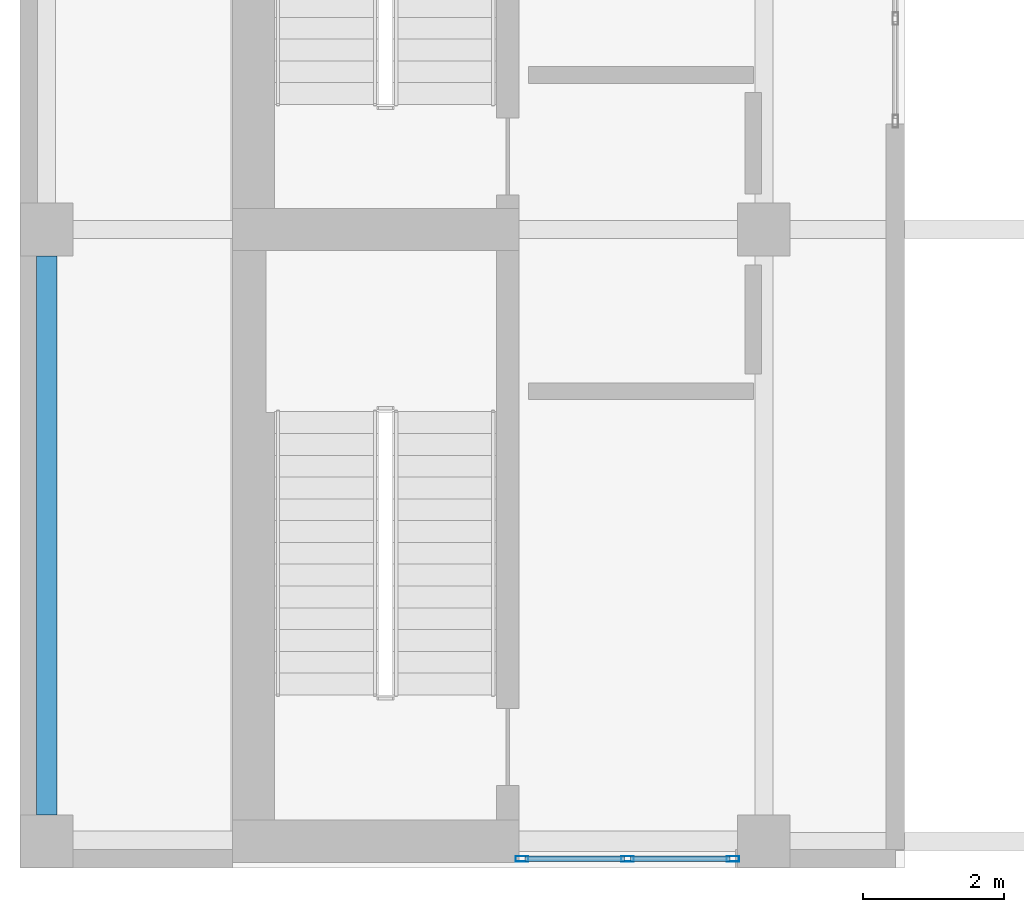
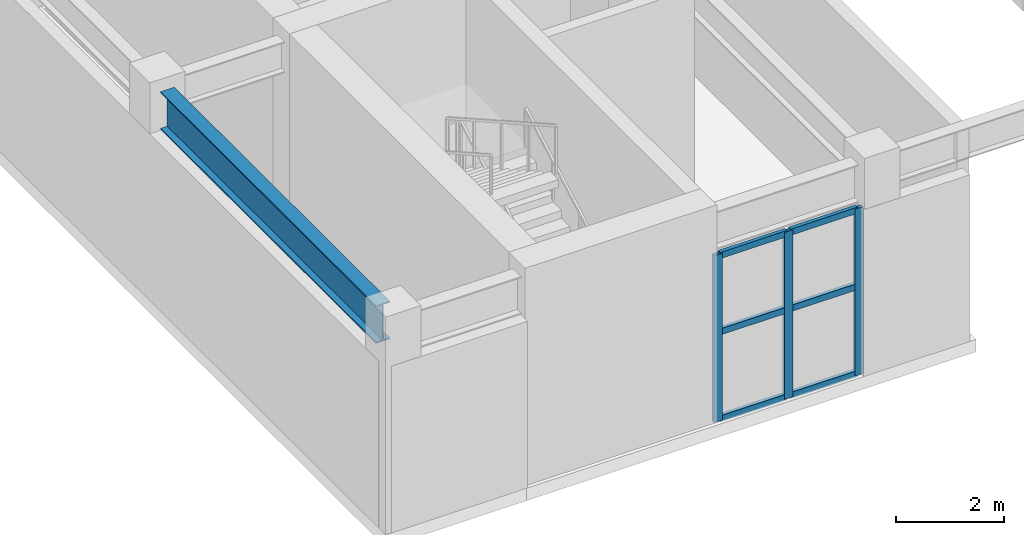
# One storey, part 2 of 11: 9 members, 1 beam, 1 element without a shape of its own.
"""IFC4 building model written with IfcOpenShell, lengths in metres."""

from ifc_helpers import new_model, si_unit, direction, frame, origin, origin_2d, place, context, subcontext, project, spatial, hollow_rectangle, i_section, extrude, material, layer, layer_set, material_profile, profile_set, type_object, element, aggregate, save


model = new_model("IFC4")

# Units and contexts
model_context = context("Model", 3, precision=1e-05, world=origin(), true_north=direction((0.0, 1.0)))
body_context = subcontext(model_context, "Body", "Model", "MODEL_VIEW")
ifc_project = project(units=[si_unit("LENGTHUNIT", "METRE"), si_unit("AREAUNIT", "SQUARE_METRE"), si_unit("VOLUMEUNIT", "CUBIC_METRE"), si_unit("PLANEANGLEUNIT", "RADIAN"), si_unit("MASSUNIT", "GRAM", prefix="KILO")], contexts=[model_context])

# Site, building, storey
site_placement = place(None, origin())
site = spatial("IfcSite", under=ifc_project, at=site_placement, CompositionType="ELEMENT")
building_placement = place(site_placement, origin())
building = spatial("IfcBuilding", under=site, at=building_placement, Name="Solanera Arch Residences", CompositionType="ELEMENT")
storey_placement = place(building_placement, frame((0.0, 0.0, 282.97998046875)))
storey = spatial("IfcBuildingStorey", under=building, at=storey_placement, Name="L81", CompositionType="ELEMENT", Elevation=282.97998046875)

# Curtain wall, members
ifc_material_1 = material(Name="Anodised Aluminium Alloy 6063-T6", Category="aluminium")
ifc_layer = layer(ifc_material_1, 0.199951171875)
ifc_layer_set = layer_set([ifc_layer], Name="Anodised Aluminium Alloy 6063-T6")
curtain_wall_type = type_object("IfcCurtainWallType", Name="CW-5 Observatory High-Wind Curtain Wall", PredefinedType="USERDEFINED", material=ifc_layer_set)
curtain_wall_placement = place(storey_placement, origin())
curtain_wall = element("IfcCurtainWall", 1, at=curtain_wall_placement, inside=storey, type_object=curtain_wall_type, Name="L81 Crown South Observatory Curtain Wall", ObjectType="CURTAIN_WALL", PredefinedType="USERDEFINED")
ifc_material_2 = material(Name="Anodised Aluminium Alloy 6063-T6", Category="aluminium")
ifc_material_profile_1 = material_profile(ifc_material_2, hollow_rectangle(XDim=0.080078125, YDim=0.179931640625, WallThickness=0.00390625, at=origin_2d()))
ifc_profile_set_1 = profile_set([ifc_material_profile_1], Name="Anodised Aluminium Alloy 6063-T6")
member_type_1 = type_object("IfcMemberType", Name="Curtain Wall Mullion ALU-MUL-80X180", PredefinedType="MULLION", material=ifc_profile_set_1)
member_1_placement = place(storey_placement, frame((20.360107421875, 21.75, 0.0), z_axis=(0.0, 0.0, 1.0), x_axis=(0.0, -1.0, 0.0)))
member_1 = element("IfcMember", 2, at=member_1_placement, type_object=member_type_1, Name="CW-5 mullion 1", PredefinedType="MULLION", context=body_context, shape_type="SweptSolid", body=[
    extrude(hollow_rectangle(XDim=0.080078125, YDim=0.179931640625, WallThickness=0.00390625, at=origin_2d()), origin(), (0.0, 0.0, 1.0), 3.760009765625),
])
member_2_placement = place(storey_placement, frame((18.860107421875, 21.75, 0.0), z_axis=(0.0, 0.0, 1.0), x_axis=(0.0, -1.0, 0.0)))
member_2 = element("IfcMember", 3, at=member_2_placement, type_object=member_type_1, Name="CW-5 mullion 2", PredefinedType="MULLION", context=body_context, shape_type="SweptSolid", body=[
    extrude(hollow_rectangle(XDim=0.080078125, YDim=0.179931640625, WallThickness=0.00390625, at=origin_2d()), origin(), (0.0, 0.0, 1.0), 3.760009765625),
])
member_3_placement = place(storey_placement, frame((17.360107421875, 21.75, 0.0), z_axis=(0.0, 0.0, 1.0), x_axis=(0.0, -1.0, 0.0)))
member_3 = element("IfcMember", 4, at=member_3_placement, type_object=member_type_1, Name="CW-5 mullion 3", PredefinedType="MULLION", context=body_context, shape_type="SweptSolid", body=[
    extrude(hollow_rectangle(XDim=0.080078125, YDim=0.179931640625, WallThickness=0.00390625, at=origin_2d()), origin(), (0.0, 0.0, 1.0), 3.760009765625),
])
ifc_material_3 = material(Name="Anodised Aluminium Alloy 6063-T6", Category="aluminium")
ifc_material_profile_2 = material_profile(ifc_material_3, hollow_rectangle(XDim=0.080078125, YDim=0.139892578125, WallThickness=0.00390625, at=origin_2d()))
ifc_profile_set_2 = profile_set([ifc_material_profile_2], Name="Anodised Aluminium Alloy 6063-T6")
member_type_2 = type_object("IfcMemberType", Name="Curtain Wall Transom ALU-TRN-80X140", PredefinedType="USERDEFINED", material=ifc_profile_set_2)
member_4_placement = place(storey_placement, frame((20.320068359375, 21.75, 0.0400390625), z_axis=(-1.0, 0.0, 0.0), x_axis=(0.0, -1.0, 0.0)))
member_4 = element("IfcMember", 5, at=member_4_placement, type_object=member_type_2, Name="CW-5 transom 1.1", ObjectType="TRANSOM", PredefinedType="USERDEFINED", context=body_context, shape_type="SweptSolid", body=[
    extrude(hollow_rectangle(XDim=0.080078125, YDim=0.139892578125, WallThickness=0.00390625, at=origin_2d()), origin(), (0.0, 0.0, 1.0), 1.420166015625),
])
member_5_placement = place(storey_placement, frame((20.320068359375, 21.75, 2.0), z_axis=(-1.0, 0.0, 0.0), x_axis=(0.0, -1.0, 0.0)))
member_5 = element("IfcMember", 6, at=member_5_placement, type_object=member_type_2, Name="CW-5 transom 1.2", ObjectType="TRANSOM", PredefinedType="USERDEFINED", context=body_context, shape_type="SweptSolid", body=[
    extrude(hollow_rectangle(XDim=0.080078125, YDim=0.139892578125, WallThickness=0.00390625, at=origin_2d()), origin(), (0.0, 0.0, 1.0), 1.420166015625),
])
member_6_placement = place(storey_placement, frame((20.320068359375, 21.75, 3.719970703125), z_axis=(-1.0, 0.0, 0.0), x_axis=(0.0, -1.0, 0.0)))
member_6 = element("IfcMember", 7, at=member_6_placement, type_object=member_type_2, Name="CW-5 transom 1.3", ObjectType="TRANSOM", PredefinedType="USERDEFINED", context=body_context, shape_type="SweptSolid", body=[
    extrude(hollow_rectangle(XDim=0.080078125, YDim=0.139892578125, WallThickness=0.00390625, at=origin_2d()), origin(), (0.0, 0.0, 1.0), 1.420166015625),
])
member_7_placement = place(storey_placement, frame((18.820068359375, 21.75, 0.0400390625), z_axis=(-1.0, 0.0, 0.0), x_axis=(0.0, -1.0, 0.0)))
member_7 = element("IfcMember", 8, at=member_7_placement, type_object=member_type_2, Name="CW-5 transom 2.1", ObjectType="TRANSOM", PredefinedType="USERDEFINED", context=body_context, shape_type="SweptSolid", body=[
    extrude(hollow_rectangle(XDim=0.080078125, YDim=0.139892578125, WallThickness=0.00390625, at=origin_2d()), origin(), (0.0, 0.0, 1.0), 1.420166015625),
])
member_8_placement = place(storey_placement, frame((18.820068359375, 21.75, 2.0), z_axis=(-1.0, 0.0, 0.0), x_axis=(0.0, -1.0, 0.0)))
member_8 = element("IfcMember", 9, at=member_8_placement, type_object=member_type_2, Name="CW-5 transom 2.2", ObjectType="TRANSOM", PredefinedType="USERDEFINED", context=body_context, shape_type="SweptSolid", body=[
    extrude(hollow_rectangle(XDim=0.080078125, YDim=0.139892578125, WallThickness=0.00390625, at=origin_2d()), origin(), (0.0, 0.0, 1.0), 1.420166015625),
])
member_9_placement = place(storey_placement, frame((18.820068359375, 21.75, 3.719970703125), z_axis=(-1.0, 0.0, 0.0), x_axis=(0.0, -1.0, 0.0)))
member_9 = element("IfcMember", 10, at=member_9_placement, type_object=member_type_2, Name="CW-5 transom 2.3", ObjectType="TRANSOM", PredefinedType="USERDEFINED", context=body_context, shape_type="SweptSolid", body=[
    extrude(hollow_rectangle(XDim=0.080078125, YDim=0.139892578125, WallThickness=0.00390625, at=origin_2d()), origin(), (0.0, 0.0, 1.0), 1.420166015625),
])
aggregate(curtain_wall, [member_1, member_2, member_3, member_4, member_5, member_6, member_7, member_8, member_9])

# Beam
ifc_material_4 = material(Name="Steel S355 (ASTM A992 / A572 Grade 50)", Category="steel")
ifc_material_profile_3 = material_profile(ifc_material_4, i_section(OverallWidth=0.2939453125, OverallDepth=0.85107421875, WebThickness=0.01611328125, FlangeThickness=0.02685546875, at=origin_2d()))
ifc_profile_set_3 = profile_set([ifc_material_profile_3], Name="Steel S355 (ASTM A992 / A572 Grade 50)")
beam_type = type_object("IfcBeamType", Name="Primary Beam W840X226", PredefinedType="BEAM", material=ifc_profile_set_3)
beam_placement = place(storey_placement, frame((10.60009765625, 22.375, 4.195068359375), z_axis=(0.0, 1.0, 0.0), x_axis=(-1.0, 0.0, 0.0)))
element("IfcBeam", 11, at=beam_placement, inside=storey, type_object=beam_type, Name="BM-L81-CR-W1", PredefinedType="BEAM", context=body_context, shape_type="SweptSolid", body=[
    extrude(i_section(OverallWidth=0.2939453125, OverallDepth=0.85107421875, WebThickness=0.01611328125, FlangeThickness=0.02685546875, at=origin_2d()), origin(), (0.0, 0.0, 1.0), 7.949951171875),
])

save(model, "model.ifc")
